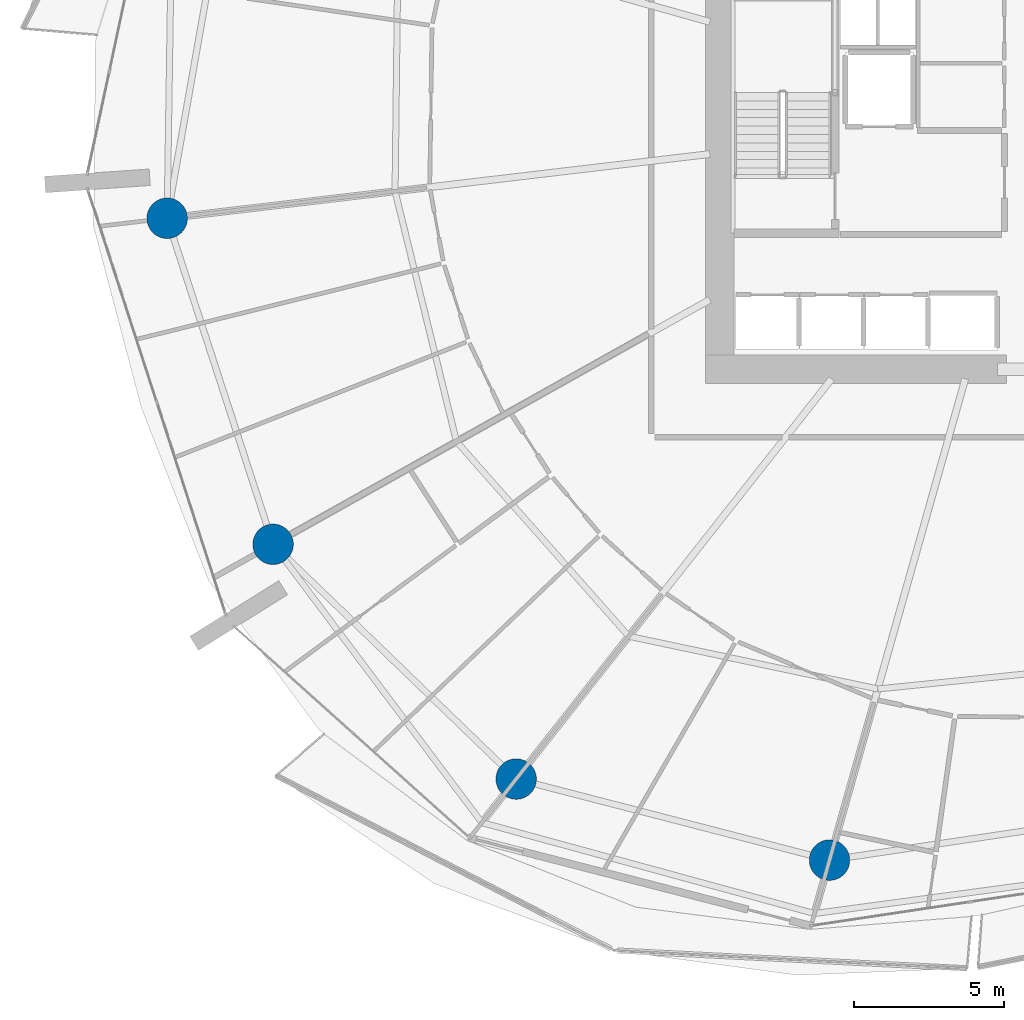
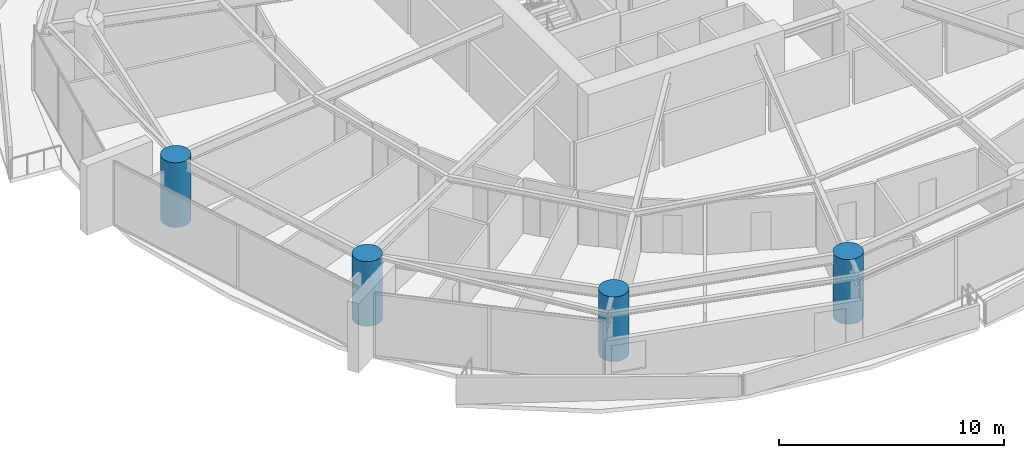
# One storey, part 1 of 31: 4 columns.
"""IFC4 building model written with IfcOpenShell, lengths in metres."""

from ifc_helpers import new_model, si_unit, direction, frame, origin, origin_2d, place, context, subcontext, project, spatial, circle, extrude, material, material_profile, profile_set, type_object, element, save


model = new_model("IFC4")

# Units and contexts
model_context = context("Model", 3, precision=1e-05, world=origin(), true_north=direction((0.0, 1.0)))
body_context = subcontext(model_context, "Body", "Model", "MODEL_VIEW")
ifc_project = project(units=[si_unit("LENGTHUNIT", "METRE"), si_unit("AREAUNIT", "SQUARE_METRE"), si_unit("VOLUMEUNIT", "CUBIC_METRE"), si_unit("PLANEANGLEUNIT", "RADIAN"), si_unit("MASSUNIT", "GRAM", prefix="KILO")], contexts=[model_context])

# Site, building, storey
site_placement = place(None, origin())
site = spatial("IfcSite", under=ifc_project, at=site_placement, CompositionType="ELEMENT")
building_placement = place(site_placement, origin())
building = spatial("IfcBuilding", under=site, at=building_placement, Name="Kazma Halo Residences", CompositionType="ELEMENT")
storey_placement = place(building_placement, frame((0.0, 0.0, 37.64990234375)))
storey = spatial("IfcBuildingStorey", under=building, at=storey_placement, Name="L08", CompositionType="ELEMENT", Elevation=37.64990234375)

# Columns
ifc_material = material(Name="Concrete C80/95", Category="concrete")
ifc_material_profile = material_profile(ifc_material, circle(Radius=0.675048828125, at=origin_2d()), Name="CIRC1350")
ifc_profile_set = profile_set([ifc_material_profile], Name="Concrete C80/95")
column_type = type_object("IfcColumnType", Name="COL-PERIM-1350", PredefinedType="COLUMN", material=ifc_profile_set)
for number, where, z_axis, x_axis, name in (
    (1, (18.902099609375, 38.555908203125, 0.0), (0.0, 0.0, 1.0), (1.0, 0.0, 0.0), "L08 perimeter ring column P08"),
    (2, (22.43505859375, 27.682861328125, 0.0), (0.0, 0.0, 1.0), (1.0, 0.0, 0.0), "L08 perimeter ring column P09"),
    (3, (30.541748046875, 19.854248046875, 0.0), (0.0, 0.0, 1.0), (1.0, 0.0, 0.0), "L08 perimeter ring column P10"),
    (4, (40.99169921875, 17.150634765625, 0.0), (0.0, 0.0, 1.0), (1.0, 0.0, 0.0), "L08 perimeter ring column P11"),
):
    element("IfcColumn", number, at=place(storey_placement, frame(where, z_axis=z_axis, x_axis=x_axis)), inside=storey, type_object=column_type, Name=name, PredefinedType="COLUMN", context=body_context, shape_type="SweptSolid", body=[
        extrude(circle(Radius=0.675048828125, at=origin_2d()), origin(), (0.0, 0.0, 1.0), 3.5),
    ])

save(model, "model.ifc")
